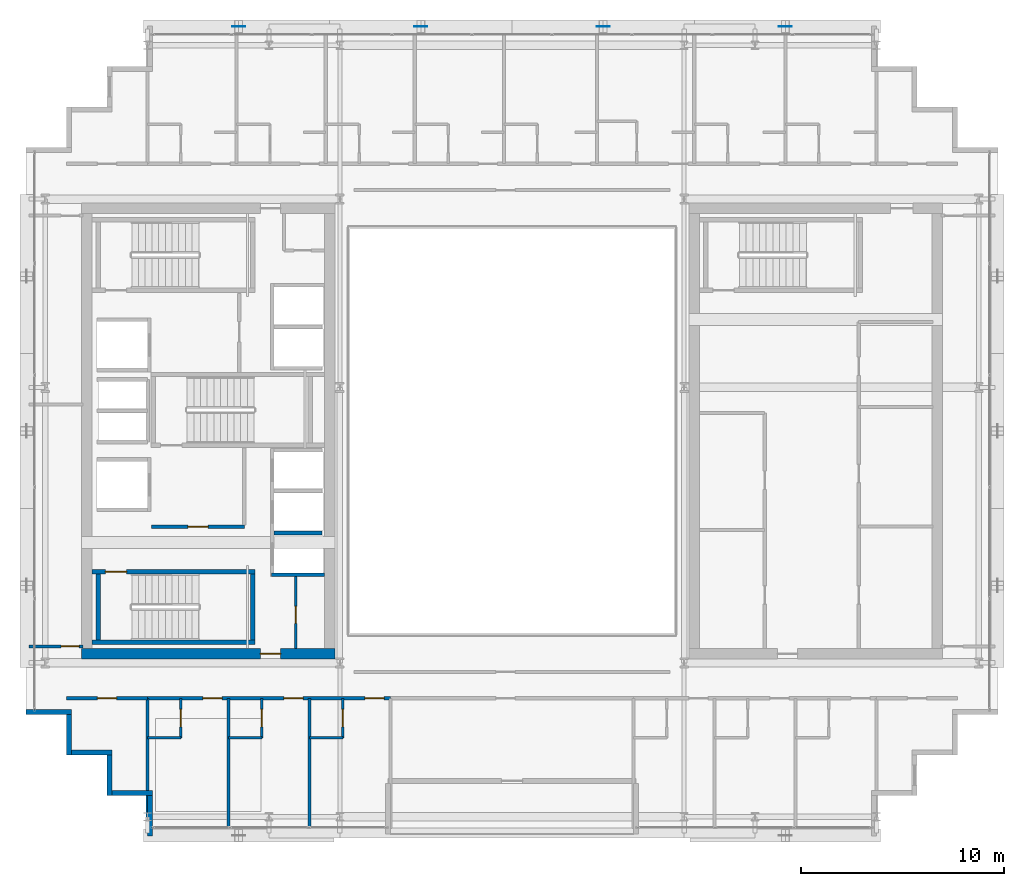
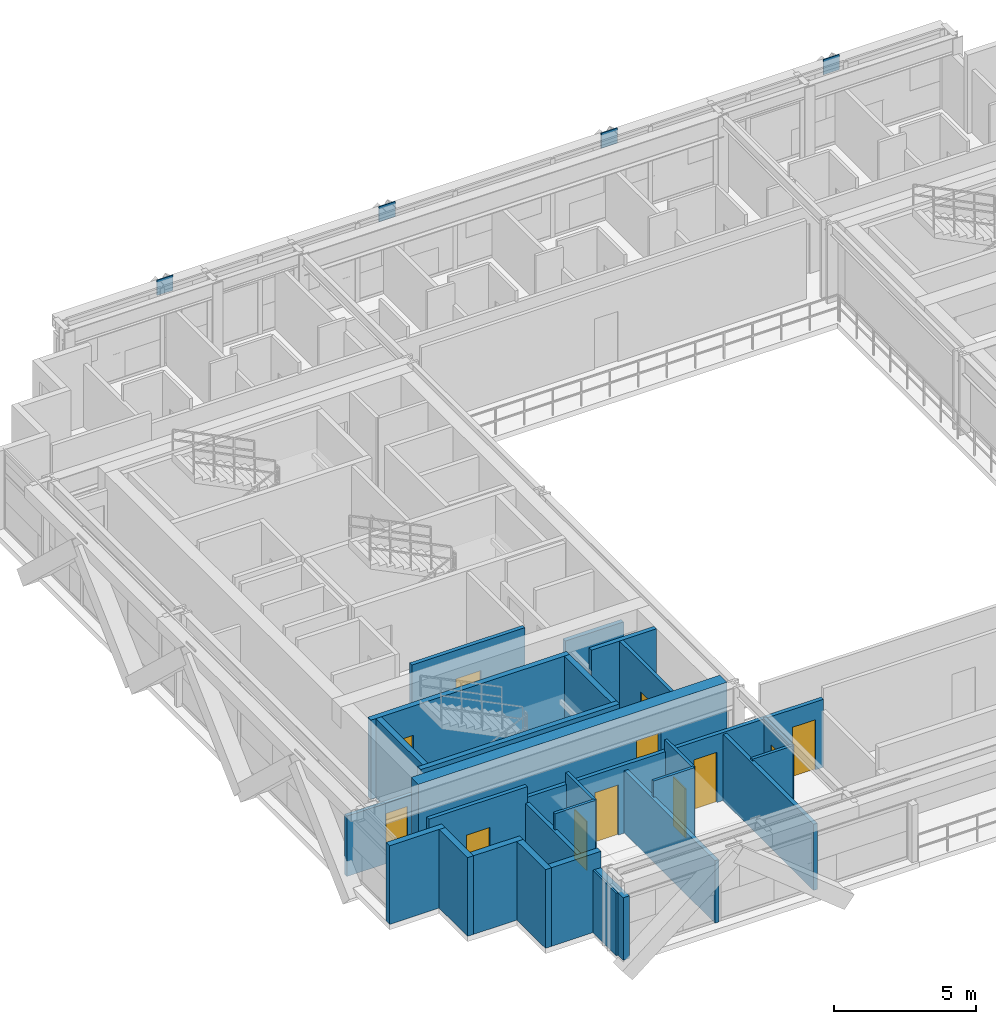
# One storey, part 23 of 32: 27 walls, 12 doors, 4 plates, 12 openings.
"""IFC4 building model written with IfcOpenShell, lengths in metres."""

from ifc_helpers import new_model, si_unit, direction, frame, frame_2d, origin, origin_2d, place, context, subcontext, project, spatial, rectangle, extrude, source, transform, mapped, material, layer, layer_set, type_object, element, fill, save


model = new_model("IFC4")

# Units and contexts
model_context = context("Model", 3, precision=1e-05, world=origin(), true_north=direction((0.0, 1.0)))
body_context = subcontext(model_context, "Body", "Model", "MODEL_VIEW")
ifc_project = project(units=[si_unit("LENGTHUNIT", "METRE"), si_unit("AREAUNIT", "SQUARE_METRE"), si_unit("VOLUMEUNIT", "CUBIC_METRE"), si_unit("PLANEANGLEUNIT", "RADIAN"), si_unit("MASSUNIT", "GRAM", prefix="KILO")], contexts=[model_context])

# Site, building, storey
site_placement = place(None, origin())
site = spatial("IfcSite", under=ifc_project, at=site_placement, CompositionType="ELEMENT")
building_placement = place(site_placement, origin())
building = spatial("IfcBuilding", under=site, at=building_placement, Name="Ocotamira Hotel", CompositionType="ELEMENT")
storey_placement = place(building_placement, frame((0.0, 0.0, 166.800048828125)))
storey = spatial("IfcBuildingStorey", under=building, at=storey_placement, Name="L41", CompositionType="ELEMENT", Elevation=166.800048828125)

# Plates
ifc_material_1 = material(Name="Pale-metal coated steel ASTM A572 Grade 50", Category="steel")
ifc_layer_1 = layer(ifc_material_1, 0.0400390625)
ifc_layer_set_1 = layer_set([ifc_layer_1], Name="Pale-metal coated steel ASTM A572 Grade 50")
plate_type = type_object("IfcPlateType", Name="PLT-GUSSET-40", PredefinedType="SHEET", material=ifc_layer_set_1)
shared_shape_1 = source(origin(), body_context, "Body", "SweptSolid", [
    extrude(rectangle(XDim=0.64990234375, YDim=0.0400390625, at=origin_2d()), origin(), (0.0, 0.0, 1.0), 0.64990234375),
])
for number, where, z_axis, x_axis, name in (
    (1, (18.5, 45.969970703125, 2.794921875), (0.0, 0.0, 1.0), (1.0, 0.0, 0.0), "L41 Exoskeleton Diagrid N0.1 End Gusset B"),
    (2, (27.5, 45.969970703125, 2.794921875), (0.0, 0.0, 1.0), (1.0, 0.0, 0.0), "L41 Exoskeleton Diagrid N1.1 End Gusset B"),
    (3, (36.5, 45.969970703125, 2.794921875), (0.0, 0.0, 1.0), (1.0, 0.0, 0.0), "L41 Exoskeleton Diagrid N2.1 End Gusset B"),
    (4, (45.5, 45.969970703125, 2.794921875), (0.0, 0.0, 1.0), (1.0, 0.0, 0.0), "L41 Exoskeleton Diagrid N3.1 End Gusset B"),
):
    element("IfcPlate", number, at=place(storey_placement, frame(where, z_axis=z_axis, x_axis=x_axis)), inside=storey, type_object=plate_type, Name=name, PredefinedType="SHEET", context=body_context, shape_type="MappedRepresentation", body=[
        mapped(shared_shape_1, transform((0.0, 0.0, 0.0), scale=1.0)),
    ])

# Wall, opening, door
ifc_material_2 = material(Name="Concrete C50/60", Category="concrete")
ifc_layer_2 = layer(ifc_material_2, 0.5)
ifc_layer_set_2 = layer_set([ifc_layer_2], Name="Concrete C50/60")
wall_type_1 = type_object("IfcWallType", Name="WL-CORE-500", PredefinedType="SHEAR", material=ifc_layer_set_2)
wall_1_placement = place(storey_placement, frame((10.75, 15.0, 0.0), z_axis=(0.0, 0.0, 1.0), x_axis=(1.0, 0.0, 0.0)))
wall_1 = element("IfcWall", 5, at=wall_1_placement, inside=storey, type_object=wall_type_1, Name="L41 Shear Core Wall WCORE-S", PredefinedType="SHEAR", context=body_context, shape_type="SweptSolid", body=[
    extrude(rectangle(XDim=12.5, YDim=0.5, at=frame_2d((6.25, 0.0))), origin(), (0.0, 0.0, 1.0), 3.369873046875),
])
opening_1_placement = place(wall_1_placement, frame((8.830078125, 0.0, 0.0)))
opening_1 = element("IfcOpeningElement", 6, at=opening_1_placement, cuts=wall_1, Name="Opening D-FR2", PredefinedType="OPENING", context=body_context, shape_type="SweptSolid", body=[
    extrude(rectangle(XDim=1.0, YDim=2.14990234375, at=frame_2d((0.5, 1.074951171875))), frame((0.0, 0.260009765625, 0.0), z_axis=(0.0, -1.0, 0.0), x_axis=(1.0, 0.0, 0.0)), (0.0, 0.0, 1.0), 0.52001953125),
])
ifc_material_3 = material(Name="Fire-rated acoustic timber-veneer door", Category="wood")
door_type_1 = type_object("IfcDoorType", Name="DR-FIRE-1000", OperationType="NOTDEFINED", PredefinedType="DOOR", material=ifc_material_3)
shared_shape_2 = source(origin(), body_context, "Body", "SweptSolid", [
    extrude(rectangle(XDim=1.0, YDim=2.14990234375, at=frame_2d((0.5, 1.074951171875))), frame((0.0, 0.02490234375, 0.0), z_axis=(0.0, -1.0, 0.0), x_axis=(1.0, 0.0, 0.0)), (0.0, 0.0, 1.0), 0.050048828125),
])
door_1_placement = place(opening_1_placement, origin())
door_1 = element("IfcDoor", 7, at=door_1_placement, inside=storey, type_object=door_type_1, Name="L41 Door ID-L41-WLOB-S-D [ID-L41-WLOB-S-D]", OperationType="SINGLE_SWING_LEFT", OverallHeight=2.14990234375, OverallWidth=1.0, PredefinedType="DOOR", context=body_context, shape_type="MappedRepresentation", body=[
    mapped(shared_shape_2, transform((0.0, 0.0, 0.0), scale=1.0)),
])
fill(opening_1, door_1)

# Walls
ifc_material_4 = material(Name="Precast concrete C45/55", Category="concrete")
ifc_layer_3 = layer(ifc_material_4, 0.25)
ifc_layer_set_3 = layer_set([ifc_layer_3], Name="Precast concrete C45/55")
wall_type_2 = type_object("IfcWallType", Name="WL-EXT-SER-250", PredefinedType="SOLIDWALL", material=ifc_layer_set_3)
wall_2_placement = place(storey_placement, frame((8.0, 12.125, 0.0), z_axis=(0.0, 0.0, 1.0), x_axis=(1.0, 0.0, 0.0)))
element("IfcWall", 8, at=wall_2_placement, inside=storey, type_object=wall_type_2, Name="L41 Serrated Corner Wall 19", PredefinedType="SOLIDWALL", context=body_context, shape_type="SweptSolid", body=[
    extrude(rectangle(XDim=2.25, YDim=0.25, at=frame_2d((1.125, 0.0))), origin(), (0.0, 0.0, 1.0), 3.369873046875),
])
for number, where, z_axis, x_axis, name in (
    (9, (10.125, 12.0, 0.0), (0.0, 0.0, 1.0), (0.0, -1.0, 0.0), "L41 Serrated Corner Wall 20"),
    (10, (10.25, 10.125, 0.0), (0.0, 0.0, 1.0), (1.0, 0.0, 0.0), "L41 Serrated Corner Wall 21"),
    (11, (12.125, 10.0, 0.0), (0.0, 0.0, 1.0), (0.0, -1.0, 0.0), "L41 Serrated Corner Wall 22"),
    (12, (12.25, 8.125, 0.0), (0.0, 0.0, 1.0), (1.0, 0.0, 0.0), "L41 Serrated Corner Wall 23"),
):
    element("IfcWall", number, at=place(storey_placement, frame(where, z_axis=z_axis, x_axis=x_axis)), inside=storey, type_object=wall_type_2, Name=name, PredefinedType="SOLIDWALL", context=body_context, shape_type="SweptSolid", body=[
        extrude(rectangle(XDim=2.0, YDim=0.25, at=frame_2d((1.0, 0.0))), origin(), (0.0, 0.0, 1.0), 3.369873046875),
    ])
wall_3_placement = place(storey_placement, frame((14.125, 8.0, 0.0), z_axis=(0.0, 0.0, 1.0), x_axis=(0.0, -1.0, 0.0)))
element("IfcWall", 13, at=wall_3_placement, inside=storey, type_object=wall_type_2, Name="L41 Serrated Corner Wall 24", PredefinedType="SOLIDWALL", context=body_context, shape_type="SweptSolid", body=[
    extrude(rectangle(XDim=2.0, YDim=0.25, at=frame_2d((1.0, 0.0))), origin(), (0.0, 0.0, 1.0), 2.677001953125),
])

# Wall, opening, door
ifc_material_5 = material(Name="Acoustic double-layer fire gypsum board partition", Category="gypsum")
ifc_layer_4 = layer(ifc_material_5, 0.159912109375)
ifc_layer_set_4 = layer_set([ifc_layer_4], Name="Acoustic double-layer fire gypsum board partition")
wall_type_3 = type_object("IfcWallType", Name="WL-FIRE-160", PredefinedType="PARTITIONING", material=ifc_layer_set_4)
wall_4_placement = place(storey_placement, frame((14.199951171875, 21.27001953125, 0.0), z_axis=(0.0, 0.0, 1.0), x_axis=(1.0, 0.0, 0.0)))
wall_4 = element("IfcWall", 14, at=wall_4_placement, inside=storey, type_object=wall_type_3, Name="L41 Interior Wall PW-L41-FSAE1-S", PredefinedType="PARTITIONING", context=body_context, shape_type="SweptSolid", body=[
    extrude(rectangle(XDim=4.580078125, YDim=0.159912109375, at=frame_2d((2.2900390625, 0.0))), origin(), (0.0, 0.0, 1.0), 3.369873046875),
])
opening_2_placement = place(wall_4_placement, frame((1.800048828125, 0.0, 0.0)))
opening_2 = element("IfcOpeningElement", 15, at=opening_2_placement, cuts=wall_4, Name="Opening D-FR2", PredefinedType="OPENING", context=body_context, shape_type="SweptSolid", body=[
    extrude(rectangle(XDim=1.0, YDim=2.14990234375, at=frame_2d((0.5, 1.074951171875))), frame((0.0, 0.08984375, 0.0), z_axis=(0.0, -1.0, 0.0), x_axis=(1.0, 0.0, 0.0)), (0.0, 0.0, 1.0), 0.179931640625),
])
door_2_placement = place(opening_2_placement, origin())
door_2 = element("IfcDoor", 16, at=door_2_placement, inside=storey, type_object=door_type_1, Name="L41 Door ID-L41-FSAE1-D [ID-L41-FSAE1-D]", OperationType="SINGLE_SWING_LEFT", OverallHeight=2.14990234375, OverallWidth=1.0, PredefinedType="DOOR", context=body_context, shape_type="MappedRepresentation", body=[
    mapped(shared_shape_2, transform((0.0, 0.0, 0.0), scale=1.0)),
])
fill(opening_2, door_2)

wall_5_placement = place(storey_placement, frame((10.0, 12.800048828125, 0.0), z_axis=(0.0, 0.0, 1.0), x_axis=(1.0, 0.0, 0.0)))
wall_5 = element("IfcWall", 17, at=wall_5_placement, inside=storey, type_object=wall_type_3, Name="L41 Interior Wall PW-L41-Z3A-CSW-CW", PredefinedType="PARTITIONING", context=body_context, shape_type="SweptSolid", body=[
    extrude(rectangle(XDim=4.0, YDim=0.159912109375, at=frame_2d((2.0, 0.0))), origin(), (0.0, 0.0, 1.0), 3.369873046875),
])
opening_3_placement = place(wall_5_placement, frame((1.52001953125, 0.0, 0.0)))
opening_3 = element("IfcOpeningElement", 18, at=opening_3_placement, cuts=wall_5, Name="Opening D-SV4", PredefinedType="OPENING", context=body_context, shape_type="SweptSolid", body=[
    extrude(rectangle(XDim=0.9599609375, YDim=2.14990234375, at=frame_2d((0.47998046875, 1.074951171875))), frame((0.0, 0.08984375, 0.0), z_axis=(0.0, -1.0, 0.0), x_axis=(1.0, 0.0, 0.0)), (0.0, 0.0, 1.0), 0.179931640625),
])
ifc_material_6 = material(Name="Fire-rated accessible walnut salon door", Category="wood")
door_type_2 = type_object("IfcDoorType", Name="DR-SERV-960", OperationType="NOTDEFINED", PredefinedType="DOOR", material=ifc_material_6)
shared_shape_3 = source(origin(), body_context, "Body", "SweptSolid", [
    extrude(rectangle(XDim=0.9599609375, YDim=2.14990234375, at=frame_2d((0.47998046875, 1.074951171875))), frame((0.0, 0.02490234375, 0.0), z_axis=(0.0, -1.0, 0.0), x_axis=(1.0, 0.0, 0.0)), (0.0, 0.0, 1.0), 0.050048828125),
])
door_3_placement = place(opening_3_placement, origin())
door_3 = element("IfcDoor", 19, at=door_3_placement, inside=storey, type_object=door_type_2, Name="L41 Door ID-L41-Z3A-CSW-CD [ID-L41-Z3A-CSW-CD]", OperationType="SINGLE_SWING_LEFT", OverallHeight=2.14990234375, OverallWidth=0.9599609375, PredefinedType="DOOR", context=body_context, shape_type="MappedRepresentation", body=[
    mapped(shared_shape_3, transform((0.0, 0.0, 0.0), scale=1.0)),
])
fill(opening_3, door_3)

# Wall, openings, doors
wall_6_placement = place(storey_placement, frame((14.0, 12.800048828125, 0.0), z_axis=(0.0, 0.0, 1.0), x_axis=(1.0, 0.0, 0.0)))
wall_6 = element("IfcWall", 20, at=wall_6_placement, inside=storey, type_object=wall_type_3, Name="L41 Interior Wall PW-L41-Z3ASW-CORRW", PredefinedType="PARTITIONING", context=body_context, shape_type="SweptSolid", body=[
    extrude(rectangle(XDim=12.0, YDim=0.159912109375, at=frame_2d((6.0, 0.0))), origin(), (0.0, 0.0, 1.0), 2.912841796875),
])
opening_4_placement = place(wall_6_placement, frame((2.739990234375, 0.0, 0.0)))
opening_4 = element("IfcOpeningElement", 21, at=opening_4_placement, cuts=wall_6, Name="Opening D-GR1", PredefinedType="OPENING", context=body_context, shape_type="SweptSolid", body=[
    extrude(rectangle(XDim=0.93994140625, YDim=2.14990234375, at=frame_2d((0.469970703125, 1.074951171875))), frame((0.0, 0.08984375, 0.0), z_axis=(0.0, -1.0, 0.0), x_axis=(1.0, 0.0, 0.0)), (0.0, 0.0, 1.0), 0.179931640625),
])
opening_5_placement = place(wall_6_placement, frame((6.739990234375, 0.0, 0.0)))
opening_5 = element("IfcOpeningElement", 22, at=opening_5_placement, cuts=wall_6, Name="Opening D-GR1", PredefinedType="OPENING", context=body_context, shape_type="SweptSolid", body=[
    extrude(rectangle(XDim=0.93994140625, YDim=2.14990234375, at=frame_2d((0.469970703125, 1.074951171875))), frame((0.0, 0.08984375, 0.0), z_axis=(0.0, -1.0, 0.0), x_axis=(1.0, 0.0, 0.0)), (0.0, 0.0, 1.0), 0.179931640625),
])
opening_6_placement = place(wall_6_placement, frame((10.739990234375, 0.0, 0.0)))
opening_6 = element("IfcOpeningElement", 23, at=opening_6_placement, cuts=wall_6, Name="Opening D-GR1", PredefinedType="OPENING", context=body_context, shape_type="SweptSolid", body=[
    extrude(rectangle(XDim=0.93994140625, YDim=2.14990234375, at=frame_2d((0.469970703125, 1.074951171875))), frame((0.0, 0.08984375, 0.0), z_axis=(0.0, -1.0, 0.0), x_axis=(1.0, 0.0, 0.0)), (0.0, 0.0, 1.0), 0.179931640625),
])
ifc_material_7 = material(Name="Solid-core walnut suite entrance fire door", Category="wood")
door_type_3 = type_object("IfcDoorType", Name="DR-GUEST-940", OperationType="NOTDEFINED", PredefinedType="DOOR", material=ifc_material_7)
shared_shape_4 = source(origin(), body_context, "Body", "SweptSolid", [
    extrude(rectangle(XDim=0.93994140625, YDim=2.14990234375, at=frame_2d((0.469970703125, 1.074951171875))), frame((0.0, 0.02490234375, 0.0), z_axis=(0.0, -1.0, 0.0), x_axis=(1.0, 0.0, 0.0)), (0.0, 0.0, 1.0), 0.050048828125),
])
door_4_placement = place(opening_4_placement, origin())
door_4 = element("IfcDoor", 24, at=door_4_placement, inside=storey, type_object=door_type_3, Name="L41 Door ID-L41-Z3ASW-RMD1 [ID-L41-Z3ASW-RMD1]", OperationType="SINGLE_SWING_LEFT", OverallHeight=2.14990234375, OverallWidth=0.93994140625, PredefinedType="DOOR", context=body_context, shape_type="MappedRepresentation", body=[
    mapped(shared_shape_4, transform((0.0, 0.0, 0.0), scale=1.0)),
])
fill(opening_4, door_4)
door_5_placement = place(opening_5_placement, origin())
door_5 = element("IfcDoor", 25, at=door_5_placement, inside=storey, type_object=door_type_3, Name="L41 Door ID-L41-Z3ASW-RMD2 [ID-L41-Z3ASW-RMD2]", OperationType="SINGLE_SWING_RIGHT", OverallHeight=2.14990234375, OverallWidth=0.93994140625, PredefinedType="DOOR", context=body_context, shape_type="MappedRepresentation", body=[
    mapped(shared_shape_4, transform((0.0, 0.0, 0.0), scale=1.0)),
])
fill(opening_5, door_5)
door_6_placement = place(opening_6_placement, origin())
door_6 = element("IfcDoor", 26, at=door_6_placement, inside=storey, type_object=door_type_3, Name="L41 Door ID-L41-Z3ASW-RMD3 [ID-L41-Z3ASW-RMD3]", OperationType="SINGLE_SWING_LEFT", OverallHeight=2.14990234375, OverallWidth=0.93994140625, PredefinedType="DOOR", context=body_context, shape_type="MappedRepresentation", body=[
    mapped(shared_shape_4, transform((0.0, 0.0, 0.0), scale=1.0)),
])
fill(opening_6, door_6)

# Wall, opening, door
ifc_material_8 = material(Name="Moisture-resistant en-suite tile and gypsum partition", Category="gypsum")
ifc_layer_5 = layer(ifc_material_8, 0.1201171875)
ifc_layer_set_5 = layer_set([ifc_layer_5], Name="Moisture-resistant en-suite tile and gypsum partition")
wall_type_4 = type_object("IfcWallType", Name="WL-PART-120", PredefinedType="PARTITIONING", material=ifc_layer_set_5)
wall_7_placement = place(storey_placement, frame((15.64990234375, 10.85009765625, 0.0), z_axis=(0.0, 0.0, 1.0), x_axis=(0.0, 1.0, 0.0)))
wall_7 = element("IfcWall", 27, at=wall_7_placement, inside=storey, type_object=wall_type_4, Name="L41 Interior Wall PW-L41-Z3ASW-BAE1", PredefinedType="PARTITIONING", context=body_context, shape_type="SweptSolid", body=[
    extrude(rectangle(XDim=1.949951171875, YDim=0.1201171875, at=frame_2d((0.97509765625, 0.0))), origin(), (0.0, 0.0, 1.0), 3.369873046875),
])
opening_7_placement = place(wall_7_placement, frame((0.544921875, 0.0, 0.0)))
opening_7 = element("IfcOpeningElement", 28, at=opening_7_placement, cuts=wall_7, Name="Opening D-BA1", PredefinedType="OPENING", context=body_context, shape_type="SweptSolid", body=[
    extrude(rectangle(XDim=0.860107421875, YDim=2.10009765625, at=frame_2d((0.43017578125, 1.050048828125))), frame((0.0, 0.070068359375, 0.0), z_axis=(0.0, -1.0, 0.0), x_axis=(1.0, 0.0, 0.0)), (0.0, 0.0, 1.0), 0.14013671875),
])
ifc_material_9 = material(Name="Moisture-sealed en-suite timber door", Category="wood")
door_type_4 = type_object("IfcDoorType", Name="DR-BATH-860", OperationType="NOTDEFINED", PredefinedType="DOOR", material=ifc_material_9)
shared_shape_5 = source(origin(), body_context, "Body", "SweptSolid", [
    extrude(rectangle(XDim=0.860107421875, YDim=2.10009765625, at=frame_2d((0.43017578125, 1.050048828125))), frame((0.0, 0.02490234375, 0.0), z_axis=(0.0, -1.0, 0.0), x_axis=(1.0, 0.0, 0.0)), (0.0, 0.0, 1.0), 0.050048828125),
])
door_7_placement = place(opening_7_placement, origin())
door_7 = element("IfcDoor", 29, at=door_7_placement, inside=storey, type_object=door_type_4, Name="L41 Door ID-L41-Z3ASW-BAD1 [ID-L41-Z3ASW-BAD1]", OperationType="SINGLE_SWING_RIGHT", OverallHeight=2.10009765625, OverallWidth=0.860107421875, PredefinedType="DOOR", context=body_context, shape_type="MappedRepresentation", body=[
    mapped(shared_shape_5, transform((0.0, 0.0, 0.0), scale=1.0)),
])
fill(opening_7, door_7)

# Wall
wall_8_placement = place(storey_placement, frame((14.0, 10.85009765625, 0.0), z_axis=(0.0, 0.0, 1.0), x_axis=(1.0, 0.0, 0.0)))
element("IfcWall", 30, at=wall_8_placement, inside=storey, type_object=wall_type_4, Name="L41 Interior Wall PW-L41-Z3ASW-BAS1", PredefinedType="PARTITIONING", context=body_context, shape_type="SweptSolid", body=[
    extrude(rectangle(XDim=1.64990234375, YDim=0.1201171875, at=frame_2d((0.824951171875, 0.0))), origin(), (0.0, 0.0, 1.0), 3.369873046875),
])

# Wall, opening, door
wall_9_placement = place(storey_placement, frame((19.64990234375, 10.85009765625, 0.0), z_axis=(0.0, 0.0, 1.0), x_axis=(0.0, 1.0, 0.0)))
wall_9 = element("IfcWall", 31, at=wall_9_placement, inside=storey, type_object=wall_type_4, Name="L41 Interior Wall PW-L41-Z3ASW-BAE2", PredefinedType="PARTITIONING", context=body_context, shape_type="SweptSolid", body=[
    extrude(rectangle(XDim=1.949951171875, YDim=0.1201171875, at=frame_2d((0.97509765625, 0.0))), origin(), (0.0, 0.0, 1.0), 3.369873046875),
])
opening_8_placement = place(wall_9_placement, frame((0.544921875, 0.0, 0.0)))
opening_8 = element("IfcOpeningElement", 32, at=opening_8_placement, cuts=wall_9, Name="Opening D-BA1", PredefinedType="OPENING", context=body_context, shape_type="SweptSolid", body=[
    extrude(rectangle(XDim=0.860107421875, YDim=2.10009765625, at=frame_2d((0.43017578125, 1.050048828125))), frame((0.0, 0.070068359375, 0.0), z_axis=(0.0, -1.0, 0.0), x_axis=(1.0, 0.0, 0.0)), (0.0, 0.0, 1.0), 0.14013671875),
])
door_8_placement = place(opening_8_placement, origin())
door_8 = element("IfcDoor", 33, at=door_8_placement, inside=storey, type_object=door_type_4, Name="L41 Door ID-L41-Z3ASW-BAD2 [ID-L41-Z3ASW-BAD2]", OperationType="SINGLE_SWING_LEFT", OverallHeight=2.10009765625, OverallWidth=0.860107421875, PredefinedType="DOOR", context=body_context, shape_type="MappedRepresentation", body=[
    mapped(shared_shape_5, transform((0.0, 0.0, 0.0), scale=1.0)),
])
fill(opening_8, door_8)

# Wall
wall_10_placement = place(storey_placement, frame((18.0, 10.85009765625, 0.0), z_axis=(0.0, 0.0, 1.0), x_axis=(1.0, 0.0, 0.0)))
element("IfcWall", 34, at=wall_10_placement, inside=storey, type_object=wall_type_4, Name="L41 Interior Wall PW-L41-Z3ASW-BAS2", PredefinedType="PARTITIONING", context=body_context, shape_type="SweptSolid", body=[
    extrude(rectangle(XDim=1.64990234375, YDim=0.1201171875, at=frame_2d((0.824951171875, 0.0))), origin(), (0.0, 0.0, 1.0), 3.369873046875),
])

# Wall, opening, door
wall_11_placement = place(storey_placement, frame((23.64990234375, 10.85009765625, 0.0), z_axis=(0.0, 0.0, 1.0), x_axis=(0.0, 1.0, 0.0)))
wall_11 = element("IfcWall", 35, at=wall_11_placement, inside=storey, type_object=wall_type_4, Name="L41 Interior Wall PW-L41-Z3ASW-BAE3", PredefinedType="PARTITIONING", context=body_context, shape_type="SweptSolid", body=[
    extrude(rectangle(XDim=1.949951171875, YDim=0.1201171875, at=frame_2d((0.97509765625, 0.0))), origin(), (0.0, 0.0, 1.0), 2.912841796875),
])
opening_9_placement = place(wall_11_placement, frame((0.544921875, 0.0, 0.0)))
opening_9 = element("IfcOpeningElement", 36, at=opening_9_placement, cuts=wall_11, Name="Opening D-BA1", PredefinedType="OPENING", context=body_context, shape_type="SweptSolid", body=[
    extrude(rectangle(XDim=0.860107421875, YDim=2.10009765625, at=frame_2d((0.43017578125, 1.050048828125))), frame((0.0, 0.070068359375, 0.0), z_axis=(0.0, -1.0, 0.0), x_axis=(1.0, 0.0, 0.0)), (0.0, 0.0, 1.0), 0.14013671875),
])
door_9_placement = place(opening_9_placement, origin())
door_9 = element("IfcDoor", 37, at=door_9_placement, inside=storey, type_object=door_type_4, Name="L41 Door ID-L41-Z3ASW-BAD3 [ID-L41-Z3ASW-BAD3]", OperationType="SINGLE_SWING_RIGHT", OverallHeight=2.10009765625, OverallWidth=0.860107421875, PredefinedType="DOOR", context=body_context, shape_type="MappedRepresentation", body=[
    mapped(shared_shape_5, transform((0.0, 0.0, 0.0), scale=1.0)),
])
fill(opening_9, door_9)

# Wall
wall_12_placement = place(storey_placement, frame((22.0, 10.85009765625, 0.0), z_axis=(0.0, 0.0, 1.0), x_axis=(1.0, 0.0, 0.0)))
element("IfcWall", 38, at=wall_12_placement, inside=storey, type_object=wall_type_4, Name="L41 Interior Wall PW-L41-Z3ASW-BAS3", PredefinedType="PARTITIONING", context=body_context, shape_type="SweptSolid", body=[
    extrude(rectangle(XDim=1.64990234375, YDim=0.1201171875, at=frame_2d((0.824951171875, 0.0))), origin(), (0.0, 0.0, 1.0), 2.912841796875),
])

# Wall, opening, door
ifc_material_10 = material(Name="Acoustic hospitality gypsum board partition", Category="gypsum")
ifc_layer_6 = layer(ifc_material_10, 0.14208984375)
ifc_layer_set_6 = layer_set([ifc_layer_6], Name="Acoustic hospitality gypsum board partition")
wall_type_5 = type_object("IfcWallType", Name="WL-PART-142", PredefinedType="PARTITIONING", material=ifc_layer_set_6)
wall_13_placement = place(storey_placement, frame((21.320068359375, 15.25, 0.0), z_axis=(0.0, 0.0, 1.0), x_axis=(0.0, 1.0, 0.0)))
wall_13 = element("IfcWall", 39, at=wall_13_placement, inside=storey, type_object=wall_type_5, Name="L41 Interior Wall PW-L41-WC-SE-W", PredefinedType="PARTITIONING", context=body_context, shape_type="SweptSolid", body=[
    extrude(rectangle(XDim=3.590087890625, YDim=0.14208984375, at=frame_2d((1.794921875, 0.0))), origin(), (0.0, 0.0, 1.0), 3.369873046875),
])
opening_10_placement = place(wall_13_placement, frame((1.25, 0.0, 0.0)))
opening_10 = element("IfcOpeningElement", 40, at=opening_10_placement, cuts=wall_13, Name="Opening D-SV1", PredefinedType="OPENING", context=body_context, shape_type="SweptSolid", body=[
    extrude(rectangle(XDim=0.840087890625, YDim=2.10009765625, at=frame_2d((0.419921875, 1.050048828125))), frame((0.0, 0.0810546875, 0.0), z_axis=(0.0, -1.0, 0.0), x_axis=(1.0, 0.0, 0.0)), (0.0, 0.0, 1.0), 0.162109375),
])
ifc_material_11 = material(Name="Fire-rated painted steel service door", Category="steel")
door_type_5 = type_object("IfcDoorType", Name="DR-SERV-840", OperationType="NOTDEFINED", PredefinedType="DOOR", material=ifc_material_11)
shared_shape_6 = source(origin(), body_context, "Body", "SweptSolid", [
    extrude(rectangle(XDim=0.840087890625, YDim=2.10009765625, at=frame_2d((0.419921875, 1.050048828125))), frame((0.0, 0.02490234375, 0.0), z_axis=(0.0, -1.0, 0.0), x_axis=(1.0, 0.0, 0.0)), (0.0, 0.0, 1.0), 0.050048828125),
])
door_10_placement = place(opening_10_placement, origin())
door_10 = element("IfcDoor", 41, at=door_10_placement, inside=storey, type_object=door_type_5, Name="L41 Door ID-L41-WC-SE-D [ID-L41-WC-SE-D]", OperationType="SINGLE_SWING_RIGHT", OverallHeight=2.10009765625, OverallWidth=0.840087890625, PredefinedType="DOOR", context=body_context, shape_type="MappedRepresentation", body=[
    mapped(shared_shape_6, transform((0.0, 0.0, 0.0), scale=1.0)),
])
fill(opening_10, door_10)

ifc_layer_7 = layer(ifc_material_10, 0.14990234375)
ifc_layer_set_7 = layer_set([ifc_layer_7], Name="Acoustic hospitality gypsum board partition")
wall_type_6 = type_object("IfcWallType", Name="WL-PART-150", PredefinedType="PARTITIONING", material=ifc_layer_set_7)
wall_14_placement = place(storey_placement, frame((8.159912109375, 15.360107421875, 0.0), z_axis=(0.0, 0.0, 1.0), x_axis=(1.0, 0.0, 0.0)))
wall_14 = element("IfcWall", 42, at=wall_14_placement, inside=storey, type_object=wall_type_6, Name="L41 Interior Wall PW-L41-Z3A-WF-WS", PredefinedType="PARTITIONING", context=body_context, shape_type="SweptSolid", body=[
    extrude(rectangle(XDim=2.66015625, YDim=0.14990234375, at=frame_2d((1.330078125, 0.0))), origin(), (0.0, 0.0, 1.0), 2.591064453125),
])
opening_11_placement = place(wall_14_placement, frame((1.580078125, 0.0, 0.0)))
opening_11 = element("IfcOpeningElement", 43, at=opening_11_placement, cuts=wall_14, Name="Opening D-SV2", PredefinedType="OPENING", context=body_context, shape_type="SweptSolid", body=[
    extrude(rectangle(XDim=0.8798828125, YDim=2.14990234375, at=frame_2d((0.43994140625, 1.074951171875))), frame((0.0, 0.0849609375, 0.0), z_axis=(0.0, -1.0, 0.0), x_axis=(1.0, 0.0, 0.0)), (0.0, 0.0, 1.0), 0.169921875),
])
door_type_6 = type_object("IfcDoorType", Name="DR-SERV-880", OperationType="NOTDEFINED", PredefinedType="DOOR", material=ifc_material_11)
shared_shape_7 = source(origin(), body_context, "Body", "SweptSolid", [
    extrude(rectangle(XDim=0.8798828125, YDim=2.14990234375, at=frame_2d((0.43994140625, 1.074951171875))), frame((0.0, 0.02490234375, 0.0), z_axis=(0.0, -1.0, 0.0), x_axis=(1.0, 0.0, 0.0)), (0.0, 0.0, 1.0), 0.050048828125),
])
door_11_placement = place(opening_11_placement, origin())
door_11 = element("IfcDoor", 44, at=door_11_placement, inside=storey, type_object=door_type_6, Name="L41 Door ID-L41-Z3A-WF-DS [ID-L41-Z3A-WF-DS]", OperationType="SINGLE_SWING_LEFT", OverallHeight=2.14990234375, OverallWidth=0.8798828125, PredefinedType="DOOR", context=body_context, shape_type="MappedRepresentation", body=[
    mapped(shared_shape_7, transform((0.0, 0.0, 0.0), scale=1.0)),
])
fill(opening_11, door_11)

# Walls
ifc_material_12 = material(Name="Acoustic double-stud hospitality gypsum partition", Category="gypsum")
ifc_layer_8 = layer(ifc_material_12, 0.159912109375)
ifc_layer_set_8 = layer_set([ifc_layer_8], Name="Acoustic double-stud hospitality gypsum partition")
wall_type_7 = type_object("IfcWallType", Name="WL-PART-160", PredefinedType="PARTITIONING", material=ifc_layer_set_8)
for number, where, z_axis, x_axis, name in (
    (45, (14.0, 6.360107421875, 0.0), (0.0, 0.0, 1.0), (0.0, 1.0, 0.0), "L41 Interior Wall PW-L41-Z3ASW-PW0"),
    (46, (18.0, 6.360107421875, 0.0), (0.0, 0.0, 1.0), (0.0, 1.0, 0.0), "L41 Interior Wall PW-L41-Z3ASW-PW1"),
):
    element("IfcWall", number, at=place(storey_placement, frame(where, z_axis=z_axis, x_axis=x_axis)), inside=storey, type_object=wall_type_7, Name=name, PredefinedType="PARTITIONING", context=body_context, shape_type="SweptSolid", body=[
        extrude(rectangle(XDim=6.43994140625, YDim=0.159912109375, at=frame_2d((3.219970703125, 0.0))), origin(), (0.0, 0.0, 1.0), 2.677001953125),
    ])
wall_15_placement = place(storey_placement, frame((22.0, 6.360107421875, 0.0), z_axis=(0.0, 0.0, 1.0), x_axis=(0.0, 1.0, 0.0)))
element("IfcWall", 47, at=wall_15_placement, inside=storey, type_object=wall_type_7, Name="L41 Interior Wall PW-L41-Z3ASW-PW2", PredefinedType="PARTITIONING", context=body_context, shape_type="SweptSolid", body=[
    extrude(rectangle(XDim=6.43994140625, YDim=0.159912109375, at=frame_2d((3.219970703125, 0.0))), origin(), (0.0, 0.0, 1.0), 2.8330078125),
])
ifc_material_13 = material(Name="Fire-rated gypsum shaftliner board assembly", Category="gypsum")
ifc_layer_9 = layer(ifc_material_13, 0.179931640625)
ifc_layer_set_9 = layer_set([ifc_layer_9], Name="Fire-rated gypsum shaftliner board assembly")
wall_type_8 = type_object("IfcWallType", Name="WL-SHAFT-180", PredefinedType="SOLIDWALL", material=ifc_layer_set_9)
wall_16_placement = place(storey_placement, frame((20.1201171875, 18.909912109375, 0.0), z_axis=(0.0, 0.0, 1.0), x_axis=(1.0, 0.0, 0.0)))
element("IfcWall", 48, at=wall_16_placement, inside=storey, type_object=wall_type_8, Name="L41 Interior Wall PW-L41-LFW-BANK-high-S", PredefinedType="SOLIDWALL", context=body_context, shape_type="SweptSolid", body=[
    extrude(rectangle(XDim=2.6298828125, YDim=0.179931640625, at=frame_2d((1.31494140625, 0.0))), origin(), (0.0, 0.0, 1.0), 3.369873046875),
])
wall_17_placement = place(storey_placement, frame((20.25, 20.965087890625, 0.0), z_axis=(0.0, 0.0, 1.0), x_axis=(1.0, 0.0, 0.0)))
element("IfcWall", 49, at=wall_17_placement, inside=storey, type_object=wall_type_8, Name="L41 Interior Wall PW-L41-LFW-DIV-LF-P7", PredefinedType="SOLIDWALL", context=body_context, shape_type="SweptSolid", body=[
    extrude(rectangle(XDim=2.360107421875, YDim=0.179931640625, at=frame_2d((1.18017578125, 0.0))), origin(), (0.0, 0.0, 1.0), 2.469970703125),
])
ifc_layer_10 = layer(ifc_material_2, 0.219970703125)
ifc_layer_set_10 = layer_set([ifc_layer_10], Name="Concrete C50/60")
wall_type_9 = type_object("IfcWallType", Name="WL-STAIR-220", PredefinedType="SHEAR", material=ifc_layer_set_10)
wall_18_placement = place(storey_placement, frame((11.25, 15.56005859375, 0.0), z_axis=(0.0, 0.0, 1.0), x_axis=(1.0, 0.0, 0.0)))
element("IfcWall", 50, at=wall_18_placement, inside=storey, type_object=wall_type_9, Name="L41 Stair Shaft Structural Wall ST-1-S", PredefinedType="SHEAR", context=body_context, shape_type="SweptSolid", body=[
    extrude(rectangle(XDim=8.06005859375, YDim=0.219970703125, at=frame_2d((4.030029296875, 0.0))), origin(), (0.0, 0.0, 1.0), 3.39990234375),
])

# Wall, opening, door
wall_19_placement = place(storey_placement, frame((11.25, 19.06005859375, 0.0), z_axis=(0.0, 0.0, 1.0), x_axis=(1.0, 0.0, 0.0)))
wall_19 = element("IfcWall", 51, at=wall_19_placement, inside=storey, type_object=wall_type_9, Name="L41 Stair Shaft Structural Wall ST-1-N", PredefinedType="SHEAR", context=body_context, shape_type="SweptSolid", body=[
    extrude(rectangle(XDim=8.06005859375, YDim=0.219970703125, at=frame_2d((4.030029296875, 0.0))), origin(), (0.0, 0.0, 1.0), 3.39990234375),
])
opening_12_placement = place(wall_19_placement, frame((0.669921875, 0.0, 0.0)))
opening_12 = element("IfcOpeningElement", 52, at=opening_12_placement, cuts=wall_19, Name="Opening D-ST2", PredefinedType="OPENING", context=body_context, shape_type="SweptSolid", body=[
    extrude(rectangle(XDim=1.050048828125, YDim=2.14990234375, at=frame_2d((0.52490234375, 1.074951171875))), frame((0.0, 0.1201171875, 0.0), z_axis=(0.0, -1.0, 0.0), x_axis=(1.0, 0.0, 0.0)), (0.0, 0.0, 1.0), 0.239990234375),
])
ifc_material_14 = material(Name="Insulated painted hollow-metal fire exit door", Category="steel")
door_type_7 = type_object("IfcDoorType", Name="DR-STAIR-1050", OperationType="NOTDEFINED", PredefinedType="DOOR", material=ifc_material_14)
shared_shape_8 = source(origin(), body_context, "Body", "SweptSolid", [
    extrude(rectangle(XDim=1.050048828125, YDim=2.14990234375, at=frame_2d((0.52490234375, 1.074951171875))), frame((0.0, 0.02490234375, 0.0), z_axis=(0.0, -1.0, 0.0), x_axis=(1.0, 0.0, 0.0)), (0.0, 0.0, 1.0), 0.050048828125),
])
door_12_placement = place(opening_12_placement, origin())
door_12 = element("IfcDoor", 53, at=door_12_placement, inside=storey, type_object=door_type_7, Name="L41 Door ID-L41-STD-ST-1 [ID-L41-STD-ST-1]", OperationType="SINGLE_SWING_RIGHT", OverallHeight=2.14990234375, OverallWidth=1.050048828125, PredefinedType="DOOR", context=body_context, shape_type="MappedRepresentation", body=[
    mapped(shared_shape_8, transform((0.0, 0.0, 0.0), scale=1.0)),
])
fill(opening_12, door_12)

# Walls
for number, where, z_axis, x_axis, name in (
    (54, (11.56005859375, 15.669921875, 0.0), (0.0, 0.0, 1.0), (0.0, 1.0, 0.0), "L41 Stair Shaft Structural Wall ST-1-W"),
    (55, (19.199951171875, 15.669921875, 0.0), (0.0, 0.0, 1.0), (0.0, 1.0, 0.0), "L41 Stair Shaft Structural Wall ST-1-E"),
):
    element("IfcWall", number, at=place(storey_placement, frame(where, z_axis=z_axis, x_axis=x_axis)), inside=storey, type_object=wall_type_9, Name=name, PredefinedType="SHEAR", context=body_context, shape_type="SweptSolid", body=[
        extrude(rectangle(XDim=3.280029296875, YDim=0.219970703125, at=frame_2d((1.64013671875, 0.0))), origin(), (0.0, 0.0, 1.0), 3.39990234375),
    ])

save(model, "model.ifc")
